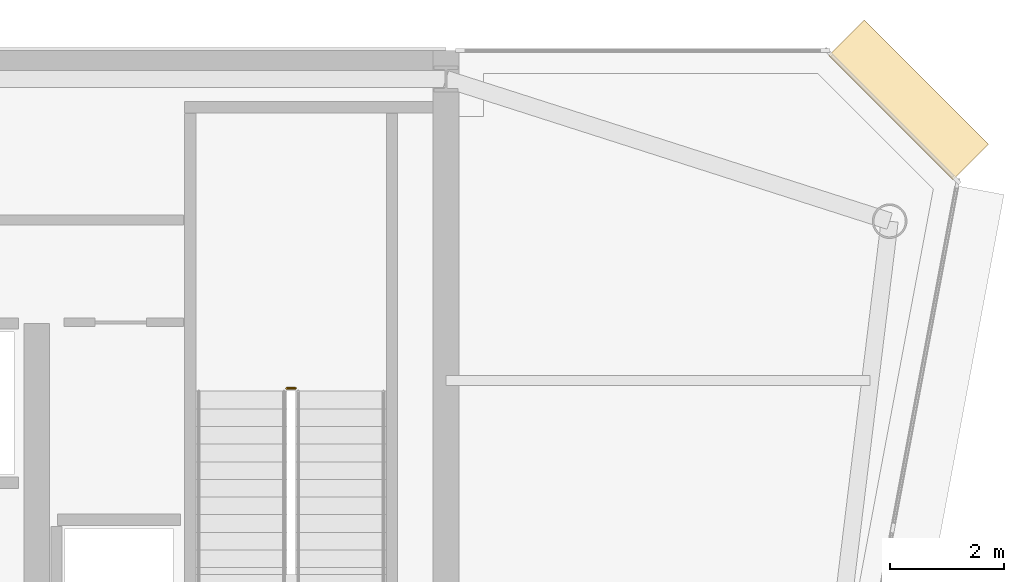
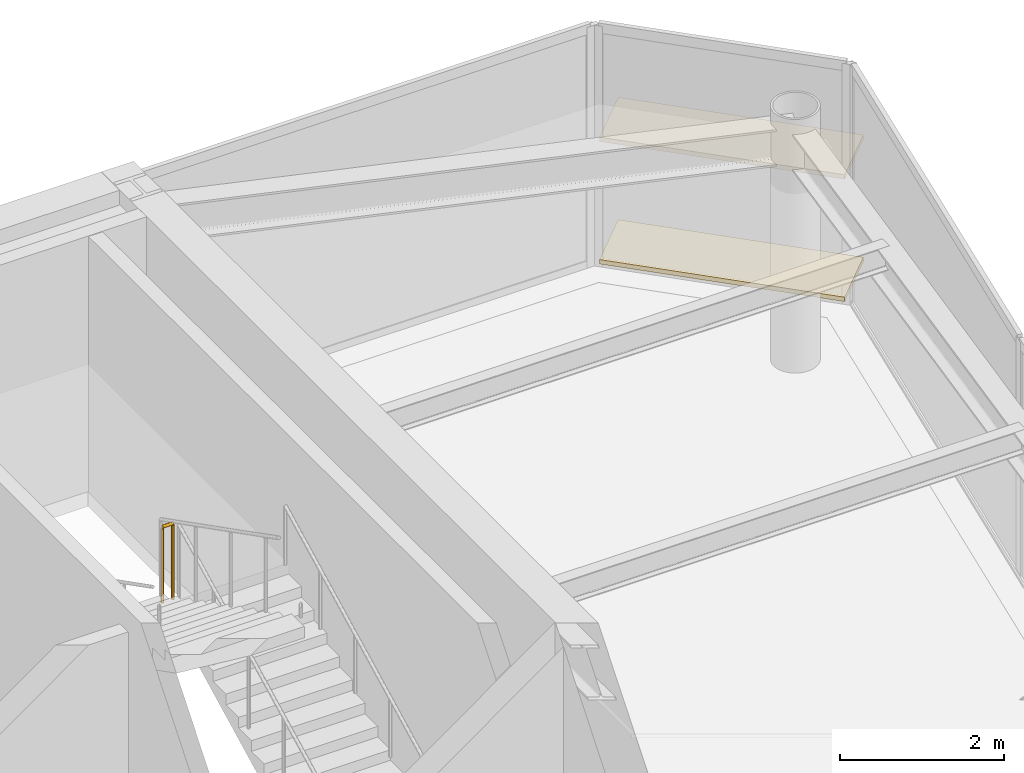
# One storey, part 20 of 20: 2 coverings, 1 railing.
"""IFC4 building model written with IfcOpenShell, lengths in metres."""

from ifc_helpers import new_model, si_unit, direction, frame, origin, origin_2d, place, context, subcontext, project, spatial, rectangle, circle, extrude, source, transform, mapped, material, layer, layer_set, type_object, element, save


model = new_model("IFC4")

# Units and contexts
model_context = context("Model", 3, precision=1e-05, world=origin(), true_north=direction((0.0, 1.0)))
body_context = subcontext(model_context, "Body", "Model", "MODEL_VIEW")
ifc_project = project(units=[si_unit("LENGTHUNIT", "METRE"), si_unit("AREAUNIT", "SQUARE_METRE"), si_unit("VOLUMEUNIT", "CUBIC_METRE"), si_unit("PLANEANGLEUNIT", "RADIAN"), si_unit("MASSUNIT", "GRAM", prefix="KILO")], contexts=[model_context])

# Site, building, storey
site_placement = place(None, origin())
site = spatial("IfcSite", under=ifc_project, at=site_placement, CompositionType="ELEMENT")
building_placement = place(site_placement, origin())
building = spatial("IfcBuilding", under=site, at=building_placement, Name="Vaeldorn Concourse Tower", CompositionType="ELEMENT")
storey_placement = place(building_placement, frame((0.0, 0.0, 268.800048828125)))
storey = spatial("IfcBuildingStorey", under=building, at=storey_placement, Name="L69", CompositionType="ELEMENT", Elevation=268.800048828125)

# Railing
ifc_material = material(Name="Anodised Bronze Aluminium", Category="aluminium")
railing_type = type_object("IfcRailingType", Name="RL-STAIR-GUARD", PredefinedType="GUARDRAIL", material=ifc_material)
railing_placement = place(storey_placement, frame((51.35009765625, 45.06005859375, 1.89990234375)))
element("IfcRailing", 1, at=railing_placement, inside=storey, type_object=railing_type, Name="L69 ST-2 stair guard 2", PredefinedType="GUARDRAIL", context=body_context, shape_type="SweptSolid", body=[
    extrude(circle(Radius=0.02392578125, at=origin_2d()), frame((0.0, 0.0, 1.1259765625), z_axis=(-1.0, 0.0, 0.0), x_axis=(0.0, -1.0, 0.0)), (0.0, 0.0, 1.0), 0.150146484375),
    extrude(circle(Radius=0.02099609375, at=origin_2d()), origin(), (0.0, 0.0, 1.0), 1.101806640625),
    extrude(circle(Radius=0.02099609375, at=origin_2d()), frame((-0.150146484375, 0.0, 0.0)), (0.0, 0.0, 1.0), 1.101806640625),
])

# Coverings
ifc_layer = layer(ifc_material, 0.06494140625)
ifc_layer_set = layer_set([ifc_layer], Name="Anodised Bronze Aluminium")
covering_type = type_object("IfcCoveringType", Name="SD-BRONZE-SUNSHADE", PredefinedType="USERDEFINED", material=ifc_layer_set)
shared_shape = source(origin(), body_context, "Body", "SweptSolid", [
    extrude(rectangle(XDim=3.0927734375, YDim=0.8798828125, at=origin_2d()), origin(), (0.0, 0.0, 1.0), 0.06494140625),
])
for number, where, z_axis, x_axis, name in (
    (2, (62.1328125, 50.1328125, 0.04736328125), (0.0, 0.0, 1.0), (-0.707106781187, 0.707106781187, 0.0), "Horizontal Bronze Sunshade L69-E08.1.1"),
    (3, (62.1328125, 50.1328125, 1.867431640625), (0.0, 0.0, 1.0), (-0.707106781187, 0.707106781187, 0.0), "Horizontal Bronze Sunshade L69-E08.1.2"),
):
    element("IfcCovering", number, at=place(storey_placement, frame(where, z_axis=z_axis, x_axis=x_axis)), inside=storey, type_object=covering_type, Name=name, ObjectType="SUNSHADE", PredefinedType="USERDEFINED", context=body_context, shape_type="MappedRepresentation", body=[
        mapped(shared_shape, transform((0.0, 0.0, 0.0), scale=1.0)),
    ])

save(model, "model.ifc")
